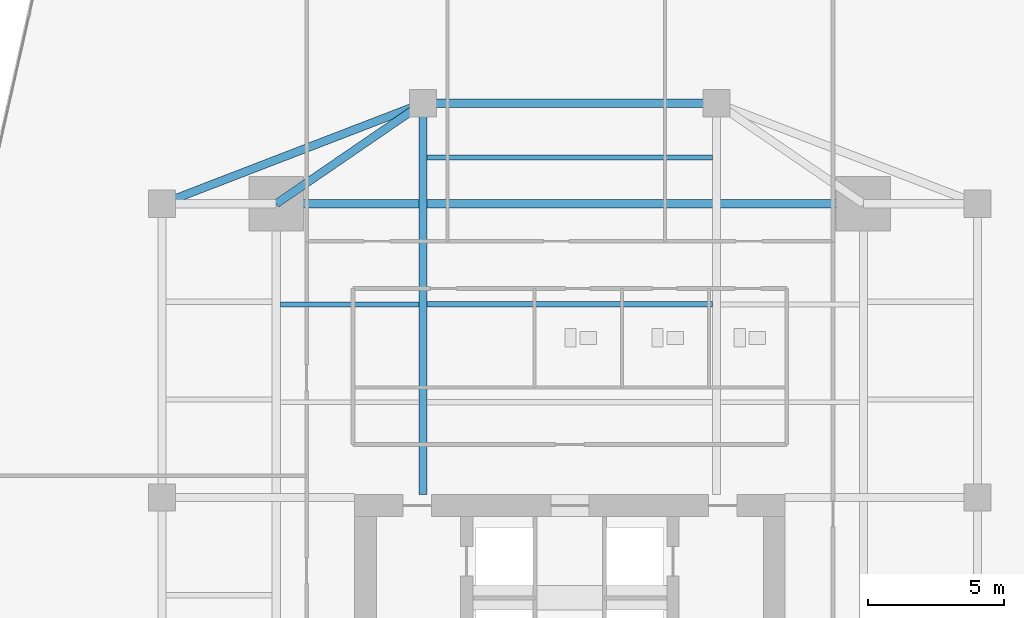
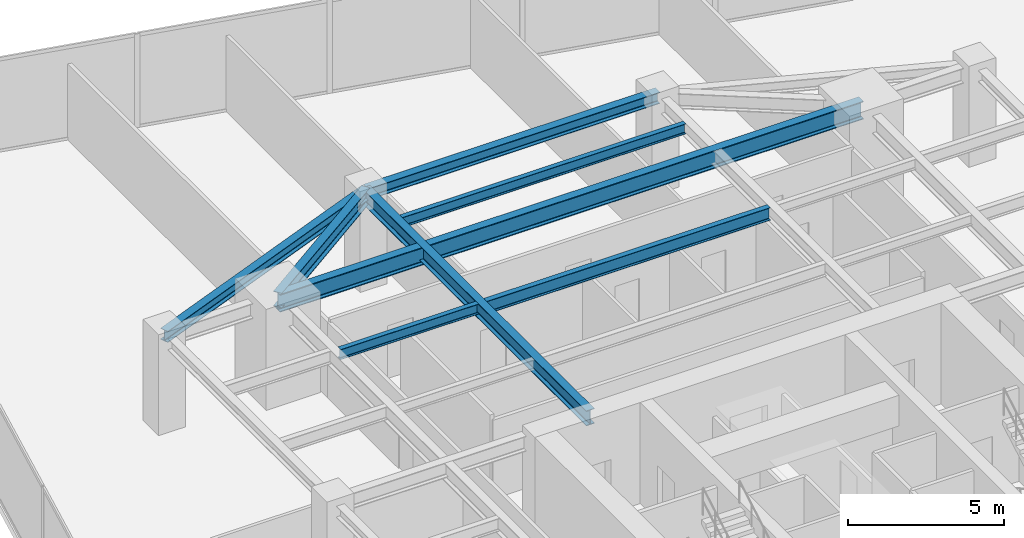
# One storey, part 16 of 26: 8 beams.
"""IFC4 building model written with IfcOpenShell, lengths in metres."""

from ifc_helpers import new_model, si_unit, direction, frame, origin, origin_2d, place, context, subcontext, project, spatial, i_section, extrude, source, transform, mapped, material, material_profile, profile_set, type_object, type_shapes, element, save


model = new_model("IFC4")

# Units and contexts
model_context = context("Model", 3, precision=1e-05, world=origin(), true_north=direction((0.0, 1.0)))
body_context = subcontext(model_context, "Body", "Model", "MODEL_VIEW")
ifc_project = project(units=[si_unit("LENGTHUNIT", "METRE"), si_unit("AREAUNIT", "SQUARE_METRE"), si_unit("VOLUMEUNIT", "CUBIC_METRE"), si_unit("PLANEANGLEUNIT", "RADIAN"), si_unit("MASSUNIT", "GRAM", prefix="KILO")], contexts=[model_context])

# Site, building, storey
site_placement = place(None, origin())
site = spatial("IfcSite", under=ifc_project, at=site_placement, CompositionType="ELEMENT")
building_placement = place(site_placement, origin())
building = spatial("IfcBuilding", under=site, at=building_placement, Name="Krantzveldt Concourse Tower", CompositionType="ELEMENT")
storey_placement = place(building_placement, frame((0.0, 0.0, 90.050048828125)))
storey = spatial("IfcBuildingStorey", under=building, at=storey_placement, Name="L21", CompositionType="ELEMENT", Elevation=90.050048828125)

# Beams
ifc_material_1 = material(Name="Steel S355J2", Category="steel")
ifc_material_profile_1 = material_profile(ifc_material_1, i_section(OverallWidth=0.300048828125, OverallDepth=0.699951171875, WebThickness=0.01708984375, FlangeThickness=0.031982421875, FilletRadius=0.027099609375, at=origin_2d()), Name="Steel S355J2", Category="steel")
ifc_profile_set_1 = profile_set([ifc_material_profile_1], Name="Steel S355J2 - HEB 700")
beam_type_1 = type_object("IfcBeamType", Name="BM-B-HEB700", PredefinedType="BEAM", material=ifc_profile_set_1)
shared_shape_1 = source(origin(), body_context, "Body", "SweptSolid", [
    extrude(i_section(OverallWidth=0.300048828125, OverallDepth=0.699951171875, WebThickness=0.01708984375, FlangeThickness=0.031982421875, FilletRadius=0.027099609375, at=origin_2d()), origin(), (0.0, 0.0, 1.0), 21.60009765625),
])
type_shapes(beam_type_1, [shared_shape_1])
beam_1_placement = place(storey_placement, frame((25.199951171875, 37.5, 3.320068359375), z_axis=(1.0, 0.0, 0.0), x_axis=(0.0, 1.0, 0.0)))
element("IfcBeam", 1, at=beam_1_placement, inside=storey, type_object=beam_type_1, Name="L21 Tower Girder BG-MN", PredefinedType="BEAM", context=body_context, shape_type="MappedRepresentation", body=[
    mapped(shared_shape_1, transform((0.0, 0.0, 0.0), x_axis=(1.0, 0.0, 0.0), y_axis=(0.0, 1.0, 0.0), z_axis=(0.0, 0.0, 1.0), scale=1.0)),
])
ifc_material_2 = material(Name="Steel S355JR", Category="steel")
ifc_material_profile_2 = material_profile(ifc_material_2, i_section(OverallWidth=0.300048828125, OverallDepth=0.590087890625, WebThickness=0.012939453125, FlangeThickness=0.02490234375, FilletRadius=0.027099609375, at=origin_2d()), Name="Steel S355JR", Category="steel")
ifc_profile_set_2 = profile_set([ifc_material_profile_2], Name="Steel S355JR - HEA 600")
beam_type_2 = type_object("IfcBeamType", Name="BM-B-HEA600", PredefinedType="BEAM", material=ifc_profile_set_2)
shared_shape_2 = source(origin(), body_context, "Body", "SweptSolid", [
    extrude(i_section(OverallWidth=0.300048828125, OverallDepth=0.590087890625, WebThickness=0.012939453125, FlangeThickness=0.02490234375, FilletRadius=0.027099609375, at=origin_2d()), origin(), (0.0, 0.0, 1.0), 14.39990234375),
])
beam_2_placement = place(storey_placement, frame((30.60009765625, 26.800048828125, 3.375), z_axis=(0.0, 1.0, 0.0), x_axis=(-1.0, 0.0, 0.0)))
element("IfcBeam", 2, at=beam_2_placement, inside=storey, type_object=beam_type_2, Name="L21 Tower Girder BG-CNW", PredefinedType="BEAM", context=body_context, shape_type="MappedRepresentation", body=[
    mapped(shared_shape_2, transform((0.0, 0.0, 0.0), x_axis=(1.0, 0.0, 0.0), y_axis=(0.0, 1.0, 0.0), z_axis=(0.0, 0.0, 1.0), scale=1.0)),
])
ifc_material_profile_3 = material_profile(ifc_material_2, i_section(OverallWidth=0.300048828125, OverallDepth=0.43994140625, WebThickness=0.011474609375, FlangeThickness=0.02099609375, FilletRadius=0.027099609375, at=origin_2d()), Name="Steel S355JR", Category="steel")
ifc_profile_set_3 = profile_set([ifc_material_profile_3], Name="Steel S355JR - HEA 450")
beam_type_3 = type_object("IfcBeamType", Name="BM-SP-HEA450", PredefinedType="SPANDREL", material=ifc_profile_set_3)
shared_shape_3 = source(origin(), body_context, "Body", "SweptSolid", [
    extrude(i_section(OverallWidth=0.300048828125, OverallDepth=0.43994140625, WebThickness=0.011474609375, FlangeThickness=0.02099609375, FilletRadius=0.027099609375, at=origin_2d()), origin(), (0.0, 0.0, 1.0), 10.288330078125),
])
beam_3_placement = place(storey_placement, frame((21.0, 37.5, 3.449951171875), z_axis=(0.933097690408, 0.359622997257, 0.0), x_axis=(-0.359622997257, 0.933097690408, 0.0)))
element("IfcBeam", 3, at=beam_3_placement, inside=storey, type_object=beam_type_3, Name="L21 Tower Girder SP-R03", PredefinedType="SPANDREL", context=body_context, shape_type="MappedRepresentation", body=[
    mapped(shared_shape_3, transform((0.0, 0.0, 0.0), x_axis=(1.0, 0.0, 0.0), y_axis=(0.0, 1.0, 0.0), z_axis=(0.0, 0.0, 1.0), scale=1.0)),
])
shared_shape_4 = source(origin(), body_context, "Body", "SweptSolid", [
    extrude(i_section(OverallWidth=0.300048828125, OverallDepth=0.43994140625, WebThickness=0.011474609375, FlangeThickness=0.02099609375, FilletRadius=0.027099609375, at=origin_2d()), origin(), (0.0, 0.0, 1.0), 10.7998046875),
])
type_shapes(beam_type_3, [shared_shape_3, shared_shape_4])
beam_4_placement = place(storey_placement, frame((30.60009765625, 41.199951171875, 3.449951171875), z_axis=(1.0, 0.0, 0.0), x_axis=(0.0, 1.0, 0.0)))
element("IfcBeam", 4, at=beam_4_placement, inside=storey, type_object=beam_type_3, Name="L21 Tower Girder SP-R04", PredefinedType="SPANDREL", context=body_context, shape_type="MappedRepresentation", body=[
    mapped(shared_shape_4, transform((0.0, 0.0, 0.0), x_axis=(1.0, 0.0, 0.0), y_axis=(0.0, 1.0, 0.0), z_axis=(0.0, 0.0, 1.0), scale=1.0)),
])
shared_shape_5 = source(origin(), body_context, "Body", "SweptSolid", [
    extrude(i_section(OverallWidth=0.300048828125, OverallDepth=0.590087890625, WebThickness=0.012939453125, FlangeThickness=0.02490234375, FilletRadius=0.027099609375, at=origin_2d()), origin(), (0.0, 0.0, 1.0), 6.546142578125),
])
type_shapes(beam_type_2, [shared_shape_2, shared_shape_5])
beam_5_placement = place(storey_placement, frame((25.199951171875, 37.5, 3.375), z_axis=(0.824942999484, 0.565215930068, 0.0), x_axis=(-0.565215930068, 0.824942999484, 0.0)))
element("IfcBeam", 5, at=beam_5_placement, inside=storey, type_object=beam_type_2, Name="L21 Tower Girder BR-RL4", PredefinedType="BEAM", context=body_context, shape_type="MappedRepresentation", body=[
    mapped(shared_shape_5, transform((0.0, 0.0, 0.0), x_axis=(1.0, 0.0, 0.0), y_axis=(0.0, 1.0, 0.0), z_axis=(0.0, 0.0, 1.0), scale=1.0)),
])
ifc_material_profile_4 = material_profile(ifc_material_2, i_section(OverallWidth=0.199951171875, OverallDepth=0.5, WebThickness=0.01025390625, FlangeThickness=0.01611328125, FilletRadius=0.02099609375, at=origin_2d()), Name="Steel S355JR", Category="steel")
ifc_profile_set_4 = profile_set([ifc_material_profile_4], Name="Steel S355JR - IPE 500")
beam_type_4 = type_object("IfcBeamType", Name="BM-J-IPE500", PredefinedType="JOIST", material=ifc_profile_set_4)
shared_shape_6 = source(origin(), body_context, "Body", "SweptSolid", [
    extrude(i_section(OverallWidth=0.199951171875, OverallDepth=0.5, WebThickness=0.01025390625, FlangeThickness=0.01611328125, FilletRadius=0.02099609375, at=origin_2d()), origin(), (0.0, 0.0, 1.0), 10.5),
])
type_shapes(beam_type_4, [shared_shape_6])
beam_6_placement = place(storey_placement, frame((30.75, 33.800048828125, 3.419921875), z_axis=(1.0, 0.0, 0.0), x_axis=(0.0, 1.0, 0.0)))
element("IfcBeam", 6, at=beam_6_placement, inside=storey, type_object=beam_type_4, Name="L21 Secondary Floor Joist JN-C2", PredefinedType="JOIST", context=body_context, shape_type="MappedRepresentation", body=[
    mapped(shared_shape_6, transform((0.0, 0.0, 0.0), x_axis=(1.0, 0.0, 0.0), y_axis=(0.0, 1.0, 0.0), z_axis=(0.0, 0.0, 1.0), scale=1.0)),
])
ifc_material_profile_5 = material_profile(ifc_material_2, i_section(OverallWidth=0.179931640625, OverallDepth=0.39990234375, WebThickness=0.008544921875, FlangeThickness=0.013427734375, FilletRadius=0.02099609375, at=origin_2d()), Name="Steel S355JR", Category="steel")
ifc_profile_set_5 = profile_set([ifc_material_profile_5], Name="Steel S355JR - IPE 400")
beam_type_5 = type_object("IfcBeamType", Name="BM-J-IPE400", PredefinedType="JOIST", material=ifc_profile_set_5)
shared_shape_7 = source(origin(), body_context, "Body", "SweptSolid", [
    extrude(i_section(OverallWidth=0.179931640625, OverallDepth=0.39990234375, WebThickness=0.008544921875, FlangeThickness=0.013427734375, FilletRadius=0.02099609375, at=origin_2d()), origin(), (0.0, 0.0, 1.0), 10.5),
])
beam_7_placement = place(storey_placement, frame((30.75, 39.199951171875, 3.469970703125), z_axis=(1.0, 0.0, 0.0), x_axis=(0.0, 1.0, 0.0)))
element("IfcBeam", 7, at=beam_7_placement, inside=storey, type_object=beam_type_5, Name="L21 Secondary Floor Joist JN-C3", PredefinedType="JOIST", context=body_context, shape_type="MappedRepresentation", body=[
    mapped(shared_shape_7, transform((0.0, 0.0, 0.0), x_axis=(1.0, 0.0, 0.0), y_axis=(0.0, 1.0, 0.0), z_axis=(0.0, 0.0, 1.0), scale=1.0)),
])
shared_shape_8 = source(origin(), body_context, "Body", "SweptSolid", [
    extrude(i_section(OverallWidth=0.179931640625, OverallDepth=0.39990234375, WebThickness=0.008544921875, FlangeThickness=0.013427734375, FilletRadius=0.02099609375, at=origin_2d()), origin(), (0.0, 0.0, 1.0), 5.099853515625),
])
type_shapes(beam_type_5, [shared_shape_7, shared_shape_8])
beam_8_placement = place(storey_placement, frame((25.35009765625, 33.800048828125, 3.469970703125), z_axis=(1.0, 0.0, 0.0), x_axis=(0.0, 1.0, 0.0)))
element("IfcBeam", 8, at=beam_8_placement, inside=storey, type_object=beam_type_5, Name="L21 Secondary Floor Joist JN-W2", PredefinedType="JOIST", context=body_context, shape_type="MappedRepresentation", body=[
    mapped(shared_shape_8, transform((0.0, 0.0, 0.0), x_axis=(1.0, 0.0, 0.0), y_axis=(0.0, 1.0, 0.0), z_axis=(0.0, 0.0, 1.0), scale=1.0)),
])

save(model, "model.ifc")
